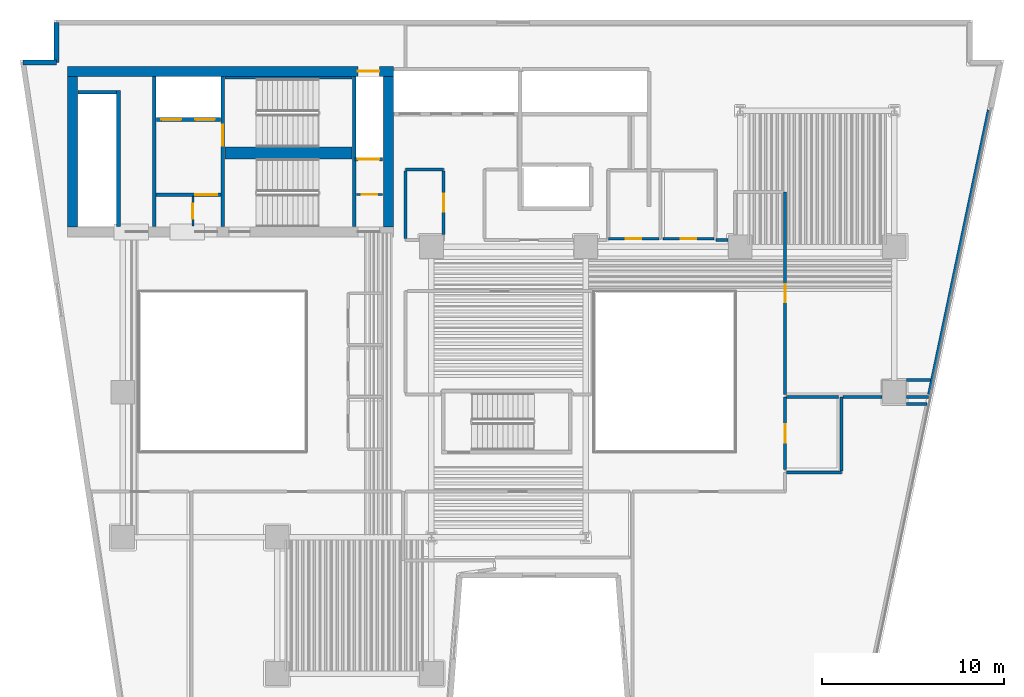
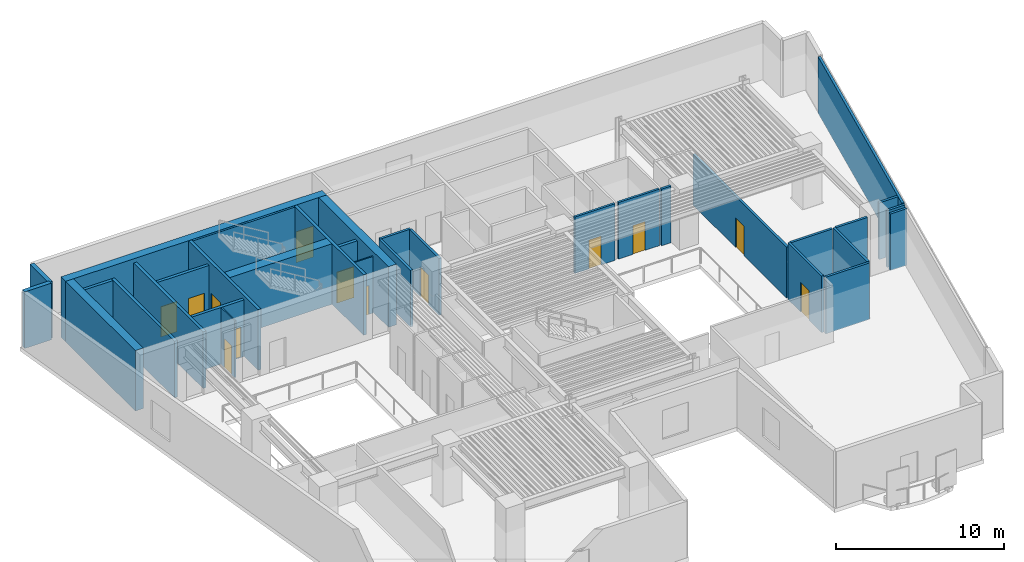
# One storey, part 5 of 12: 33 walls, 13 doors, 13 openings.
"""IFC4 building model written with IfcOpenShell, lengths in metres."""

from ifc_helpers import new_model, si_unit, direction, frame, frame_2d, origin, place, context, subcontext, project, spatial, rectangle, extrude, material, layer, layer_set, type_object, element, fill, save


model = new_model("IFC4")

# Units and contexts
model_context = context("Model", 3, precision=1e-05, world=origin(), true_north=direction((0.0, 1.0)))
body_context = subcontext(model_context, "Body", "Model", "MODEL_VIEW")
ifc_project = project(units=[si_unit("LENGTHUNIT", "METRE"), si_unit("AREAUNIT", "SQUARE_METRE"), si_unit("VOLUMEUNIT", "CUBIC_METRE"), si_unit("PLANEANGLEUNIT", "RADIAN"), si_unit("MASSUNIT", "GRAM", prefix="KILO")], contexts=[model_context])

# Site, building, storey
site_placement = place(None, origin())
site = spatial("IfcSite", under=ifc_project, at=site_placement, CompositionType="ELEMENT")
building_placement = place(site_placement, origin())
building = spatial("IfcBuilding", under=site, at=building_placement, Name="Caeloran Harvest Quay", CompositionType="ELEMENT")
storey_placement = place(building_placement, frame((0.0, 0.0, 97.39990234375)))
storey = spatial("IfcBuildingStorey", under=building, at=storey_placement, Name="L22", CompositionType="ELEMENT", Elevation=97.39990234375)

# Walls
ifc_material_1 = material(Name="Precast concrete C50/60", Category="concrete")
ifc_layer_1 = layer(ifc_material_1, 0.280029296875, Name="Precast concrete C50/60")
ifc_layer_set_1 = layer_set([ifc_layer_1], Name="Precast concrete C50/60")
wall_type_1 = type_object("IfcWallType", Name="ENV-WALL-EW-280", PredefinedType="STANDARD", material=ifc_layer_set_1)
wall_1_placement = place(storey_placement, frame((2.99755859375, 41.159912109375, 0.0), z_axis=(0.0, 0.0, 1.0), x_axis=(1.0, 0.0, 0.0)))
element("IfcWall", 1, at=wall_1_placement, inside=storey, type_object=wall_type_1, Name="L22 Exterior Precast Concrete Facade Wall 4", PredefinedType="STANDARD", context=body_context, shape_type="SweptSolid", body=[
    extrude(rectangle(XDim=1.842529296875, YDim=0.280029296875, at=frame_2d((0.92138671875, 0.0))), origin(), (0.0, 0.0, 1.0), 4.114990234375),
])
wall_2_placement = place(storey_placement, frame((4.840087890625, 41.159912109375, 0.0), z_axis=(0.0, 0.0, 1.0), x_axis=(0.0, 1.0, 0.0)))
element("IfcWall", 2, at=wall_2_placement, inside=storey, type_object=wall_type_1, Name="L22 Exterior Precast Concrete Facade Wall 5", PredefinedType="STANDARD", context=body_context, shape_type="SweptSolid", body=[
    extrude(rectangle(XDim=2.2001953125, YDim=0.280029296875, at=frame_2d((1.10009765625, 0.0))), origin(), (0.0, 0.0, 1.0), 4.114990234375),
])

# Wall, opening, door
ifc_material_2 = material(Name="Fire-Resisting Gypsum Core Riser Partition", Category="gypsum")
ifc_layer_2 = layer(ifc_material_2, 0.10009765625, Name="Fire-Resisting Gypsum Core Riser Partition")
ifc_layer_set_2 = layer_set([ifc_layer_2], Name="Fire-Resisting Gypsum Core Riser Partition")
wall_type_2 = type_object("IfcWallType", Name="INT-WALL-PW-100", PredefinedType="PARTITIONING", material=ifc_layer_set_2)
wall_3_placement = place(storey_placement, frame((12.360107421875, 32.159912109375, 0.0), z_axis=(0.0, 0.0, 1.0), x_axis=(0.0, 1.0, 0.0)))
wall_3 = element("IfcWall", 3, at=wall_3_placement, inside=storey, type_object=wall_type_2, Name="L22 Core Store Partition Wall", PredefinedType="PARTITIONING", context=body_context, shape_type="SweptSolid", body=[
    extrude(rectangle(XDim=1.6201171875, YDim=0.10009765625, at=frame_2d((0.81005859375, 0.0))), origin(), (0.0, 0.0, 1.0), 4.114990234375),
])
opening_1_placement = place(wall_3_placement, frame((0.3798828125, 0.0, 0.0)))
opening_1 = element("IfcOpeningElement", 4, at=opening_1_placement, cuts=wall_3, Name="Opening SV-01", PredefinedType="OPENING", context=body_context, shape_type="SweptSolid", body=[
    extrude(rectangle(XDim=0.85009765625, YDim=2.10009765625, at=frame_2d((0.425048828125, 1.050048828125))), frame((0.0, 0.06005859375, 0.0), z_axis=(0.0, -1.0, 0.0), x_axis=(1.0, 0.0, 0.0)), (0.0, 0.0, 1.0), 0.1201171875),
])
ifc_material_3 = material(Name="Galvanized Painted Steel", Category="steel")
door_type_1 = type_object("IfcDoorType", Name="INTDOOR-SV-01", OperationType="NOTDEFINED", PredefinedType="DOOR", material=ifc_material_3)
door_1_placement = place(opening_1_placement, origin())
door_1 = element("IfcDoor", 5, at=door_1_placement, inside=storey, type_object=door_type_1, Name="L22 Core Service Room Access Door", OperationType="SINGLE_SWING_LEFT", OverallHeight=2.10009765625, OverallWidth=0.85009765625, PredefinedType="DOOR", context=body_context, shape_type="SweptSolid", body=[
    extrude(rectangle(XDim=0.85009765625, YDim=2.10009765625, at=frame_2d((0.425048828125, 1.050048828125))), frame((0.0, 0.02490234375, 0.0), z_axis=(0.0, -1.0, 0.0), x_axis=(1.0, 0.0, 0.0)), (0.0, 0.0, 1.0), 0.050048828125),
])
fill(opening_1, door_1)

wall_4_placement = place(storey_placement, frame((21.3798828125, 33.889892578125, 0.0), z_axis=(0.0, 0.0, 1.0), x_axis=(1.0, 0.0, 0.0)))
wall_4 = element("IfcWall", 6, at=wall_4_placement, inside=storey, type_object=wall_type_2, Name="L22 Cleaner Store Partition Wall", PredefinedType="PARTITIONING", context=body_context, shape_type="SweptSolid", body=[
    extrude(rectangle(XDim=1.420166015625, YDim=0.10009765625, at=frame_2d((0.7099609375, 0.0))), origin(), (0.0, 0.0, 1.0), 4.114990234375),
])
opening_2_placement = place(wall_4_placement, frame((0.280029296875, 0.0, 0.0)))
opening_2 = element("IfcOpeningElement", 7, at=opening_2_placement, cuts=wall_4, Name="Opening SV-01", PredefinedType="OPENING", context=body_context, shape_type="SweptSolid", body=[
    extrude(rectangle(XDim=0.85009765625, YDim=2.10009765625, at=frame_2d((0.425048828125, 1.050048828125))), frame((0.0, 0.06005859375, 0.0), z_axis=(0.0, -1.0, 0.0), x_axis=(1.0, 0.0, 0.0)), (0.0, 0.0, 1.0), 0.1201171875),
])
door_2_placement = place(opening_2_placement, origin())
door_2 = element("IfcDoor", 8, at=door_2_placement, inside=storey, type_object=door_type_1, Name="L22 Cleaner Supply Store Access Door", OperationType="SINGLE_SWING_RIGHT", OverallHeight=2.10009765625, OverallWidth=0.85009765625, PredefinedType="DOOR", context=body_context, shape_type="SweptSolid", body=[
    extrude(rectangle(XDim=0.85009765625, YDim=2.10009765625, at=frame_2d((0.425048828125, 1.050048828125))), frame((0.0, 0.02490234375, 0.0), z_axis=(0.0, -1.0, 0.0), x_axis=(1.0, 0.0, 0.0)), (0.0, 0.0, 1.0), 0.050048828125),
])
fill(opening_2, door_2)

ifc_material_4 = material(Name="Autoclaved Aerated Concrete Blockwork and Plasterboard", Category="masonry")
ifc_layer_3 = layer(ifc_material_4, 0.14990234375, Name="Autoclaved Aerated Concrete Blockwork and Plasterboard")
ifc_layer_set_3 = layer_set([ifc_layer_3], Name="Autoclaved Aerated Concrete Blockwork and Plasterboard")
wall_type_3 = type_object("IfcWallType", Name="INT-WALL-PW-150", PredefinedType="PARTITIONING", material=ifc_layer_set_3)
wall_5_placement = place(storey_placement, frame((38.02001953125, 31.449951171875, 0.0), z_axis=(0.0, 0.0, 1.0), x_axis=(-1.0, 0.0, 0.0)))
wall_5 = element("IfcWall", 9, at=wall_5_placement, inside=storey, type_object=wall_type_3, Name="L22 Core Telemetry West Room Partition Wall", PredefinedType="PARTITIONING", context=body_context, shape_type="SweptSolid", body=[
    extrude(rectangle(XDim=2.77001953125, YDim=0.14990234375, at=frame_2d((1.385009765625, 0.0))), origin(), (0.0, 0.0, 1.0), 4.114990234375),
])
opening_3_placement = place(wall_5_placement, frame((0.9599609375, 0.0, 0.0)))
opening_3 = element("IfcOpeningElement", 10, at=opening_3_placement, cuts=wall_5, Name="Opening SV-01", PredefinedType="OPENING", context=body_context, shape_type="SweptSolid", body=[
    extrude(rectangle(XDim=0.85009765625, YDim=2.10009765625, at=frame_2d((0.425048828125, 1.050048828125))), frame((0.0, 0.0849609375, 0.0), z_axis=(0.0, -1.0, 0.0), x_axis=(1.0, 0.0, 0.0)), (0.0, 0.0, 1.0), 0.169921875),
])
door_3_placement = place(opening_3_placement, origin())
door_3 = element("IfcDoor", 11, at=door_3_placement, inside=storey, type_object=door_type_1, Name="L22 Core Telemetry West Room Access Door", OperationType="SINGLE_SWING_RIGHT", OverallHeight=2.10009765625, OverallWidth=0.85009765625, PredefinedType="DOOR", context=body_context, shape_type="SweptSolid", body=[
    extrude(rectangle(XDim=0.85009765625, YDim=2.10009765625, at=frame_2d((0.425048828125, 1.050048828125))), frame((0.0, 0.02490234375, 0.0), z_axis=(0.0, -1.0, 0.0), x_axis=(1.0, 0.0, 0.0)), (0.0, 0.0, 1.0), 0.050048828125),
])
fill(opening_3, door_3)

wall_6_placement = place(storey_placement, frame((41.070068359375, 31.449951171875, 0.0), z_axis=(0.0, 0.0, 1.0), x_axis=(-1.0, 0.0, 0.0)))
wall_6 = element("IfcWall", 12, at=wall_6_placement, inside=storey, type_object=wall_type_3, Name="L22 Core Metering East Room Partition Wall", PredefinedType="PARTITIONING", context=body_context, shape_type="SweptSolid", body=[
    extrude(rectangle(XDim=2.820068359375, YDim=0.14990234375, at=frame_2d((1.41015625, 0.0))), origin(), (0.0, 0.0, 1.0), 4.114990234375),
])
opening_4_placement = place(wall_6_placement, frame((0.985107421875, 0.0, 0.0)))
opening_4 = element("IfcOpeningElement", 13, at=opening_4_placement, cuts=wall_6, Name="Opening SV-01", PredefinedType="OPENING", context=body_context, shape_type="SweptSolid", body=[
    extrude(rectangle(XDim=0.85009765625, YDim=2.10009765625, at=frame_2d((0.425048828125, 1.050048828125))), frame((0.0, 0.0849609375, 0.0), z_axis=(0.0, -1.0, 0.0), x_axis=(1.0, 0.0, 0.0)), (0.0, 0.0, 1.0), 0.169921875),
])
door_4_placement = place(opening_4_placement, origin())
door_4 = element("IfcDoor", 14, at=door_4_placement, inside=storey, type_object=door_type_1, Name="L22 Core Metering East Room Access Door", OperationType="SINGLE_SWING_LEFT", OverallHeight=2.10009765625, OverallWidth=0.85009765625, PredefinedType="DOOR", context=body_context, shape_type="SweptSolid", body=[
    extrude(rectangle(XDim=0.85009765625, YDim=2.10009765625, at=frame_2d((0.425048828125, 1.050048828125))), frame((0.0, 0.02490234375, 0.0), z_axis=(0.0, -1.0, 0.0), x_axis=(1.0, 0.0, 0.0)), (0.0, 0.0, 1.0), 0.050048828125),
])
fill(opening_4, door_4)

# Walls
ifc_material_5 = material(Name="Autoclaved Aerated Concrete Blockwork", Category="masonry")
ifc_layer_4 = layer(ifc_material_5, 0.1650390625, Name="Autoclaved Aerated Concrete Blockwork")
ifc_layer_set_4 = layer_set([ifc_layer_4], Name="Autoclaved Aerated Concrete Blockwork")
wall_type_4 = type_object("IfcWallType", Name="INT-WALL-PW-165", PredefinedType="PARTITIONING", material=ifc_layer_set_4)
wall_7_placement = place(storey_placement, frame((45.0673828125, 18.570068359375, 0.0), z_axis=(0.0, 0.0, 1.0), x_axis=(1.0, 0.0, 0.0)))
element("IfcWall", 15, at=wall_7_placement, inside=storey, type_object=wall_type_4, Name="Biophilic Architecture Atelier Partition Wall", PredefinedType="PARTITIONING", context=body_context, shape_type="SweptSolid", body=[
    extrude(rectangle(XDim=3.0126953125, YDim=0.1650390625, at=frame_2d((1.50634765625, 0.0))), origin(), (0.0, 0.0, 1.0), 4.114990234375),
])
wall_8_placement = place(storey_placement, frame((48.080078125, 18.657470703125, 0.0), z_axis=(0.0, 0.0, 1.0), x_axis=(0.0, 1.0, 0.0)))
element("IfcWall", 16, at=wall_8_placement, inside=storey, type_object=wall_type_4, Name="Biophilic Architecture Atelier Partition Wall", PredefinedType="PARTITIONING", context=body_context, shape_type="SweptSolid", body=[
    extrude(rectangle(XDim=4.0625, YDim=0.1650390625, at=frame_2d((2.03125, 0.0))), origin(), (0.0, 0.0, 1.0), 4.114990234375),
])
wall_9_placement = place(storey_placement, frame((48.16748046875, 22.719970703125, 0.0), z_axis=(0.0, 0.0, 1.0), x_axis=(1.0, 0.0, 0.0)))
element("IfcWall", 17, at=wall_9_placement, inside=storey, type_object=wall_type_4, Name="Biophilic Architecture Atelier Partition Wall", PredefinedType="PARTITIONING", context=body_context, shape_type="SweptSolid", body=[
    extrude(rectangle(XDim=2.157470703125, YDim=0.1650390625, at=frame_2d((1.07861328125, 0.0))), origin(), (0.0, 0.0, 1.0), 4.114990234375),
])
wall_10_placement = place(storey_placement, frame((51.675048828125, 22.3349609375, 0.0), z_axis=(0.0, 0.0, 1.0), x_axis=(1.0, 0.0, 0.0)))
element("IfcWall", 18, at=wall_10_placement, inside=storey, type_object=wall_type_4, Name="Biophilic Architecture Atelier Partition Wall", PredefinedType="PARTITIONING", context=body_context, shape_type="SweptSolid", body=[
    extrude(rectangle(XDim=1.12841796875, YDim=0.1650390625, at=frame_2d((0.564208984375, 0.0))), origin(), (0.0, 0.0, 1.0), 4.114990234375),
])
wall_11_placement = place(storey_placement, frame((51.675048828125, 22.719970703125, 0.0), z_axis=(0.0, 0.0, 1.0), x_axis=(1.0, 0.0, 0.0)))
element("IfcWall", 19, at=wall_11_placement, inside=storey, type_object=wall_type_4, Name="Biophilic Architecture Atelier Partition Wall", PredefinedType="PARTITIONING", context=body_context, shape_type="SweptSolid", body=[
    extrude(rectangle(XDim=1.209228515625, YDim=0.1650390625, at=frame_2d((0.6044921875, 0.0))), origin(), (0.0, 0.0, 1.0), 4.114990234375),
])

# Wall, opening, door
wall_12_placement = place(storey_placement, frame((44.97998046875, 18.72998046875, 0.0), z_axis=(0.0, 0.0, 1.0), x_axis=(0.0, 1.0, 0.0)))
wall_12 = element("IfcWall", 20, at=wall_12_placement, inside=storey, type_object=wall_type_4, Name="Principal Partner Office Partition Wall", PredefinedType="PARTITIONING", context=body_context, shape_type="SweptSolid", body=[
    extrude(rectangle(XDim=3.989990234375, YDim=0.1650390625, at=frame_2d((1.9951171875, 0.0))), origin(), (0.0, 0.0, 1.0), 4.114990234375),
])
opening_5_placement = place(wall_12_placement, frame((1.4951171875, 0.0, 0.0)))
opening_5 = element("IfcOpeningElement", 21, at=opening_5_placement, cuts=wall_12, Name="Opening ID-01", PredefinedType="OPENING", context=body_context, shape_type="SweptSolid", body=[
    extrude(rectangle(XDim=1.0, YDim=2.14990234375, at=frame_2d((0.5, 1.074951171875))), frame((0.0, 0.092529296875, 0.0), z_axis=(0.0, -1.0, 0.0), x_axis=(1.0, 0.0, 0.0)), (0.0, 0.0, 1.0), 0.18505859375),
])
ifc_material_6 = material(Name="FSC Solid-Core Ash Timber and Acoustic Seal", Category="wood")
door_type_2 = type_object("IfcDoorType", Name="INTDOOR-ID-01", OperationType="NOTDEFINED", PredefinedType="DOOR", material=ifc_material_6)
door_5_placement = place(opening_5_placement, origin())
door_5 = element("IfcDoor", 22, at=door_5_placement, inside=storey, type_object=door_type_2, Name="Principal Partner Office Access Door", OperationType="SINGLE_SWING_LEFT", OverallHeight=2.14990234375, OverallWidth=1.0, PredefinedType="DOOR", context=body_context, shape_type="SweptSolid", body=[
    extrude(rectangle(XDim=1.0, YDim=2.14990234375, at=frame_2d((0.5, 1.074951171875))), frame((0.0, 0.02490234375, 0.0), z_axis=(0.0, -1.0, 0.0), x_axis=(1.0, 0.0, 0.0)), (0.0, 0.0, 1.0), 0.050048828125),
])
fill(opening_5, door_5)

# Walls
wall_13_placement = place(storey_placement, frame((45.0673828125, 22.719970703125, 0.0), z_axis=(0.0, 0.0, 1.0), x_axis=(1.0, 0.0, 0.0)))
element("IfcWall", 23, at=wall_13_placement, inside=storey, type_object=wall_type_4, Name="Principal Partner Office Partition Wall", PredefinedType="PARTITIONING", context=body_context, shape_type="SweptSolid", body=[
    extrude(rectangle(XDim=2.8525390625, YDim=0.1650390625, at=frame_2d((1.42626953125, 0.0))), origin(), (0.0, 0.0, 1.0), 4.114990234375),
])
wall_14_placement = place(storey_placement, frame((24.080078125, 35.27001953125, 0.0), z_axis=(0.0, 0.0, 1.0), x_axis=(1.0, 0.0, 0.0)))
element("IfcWall", 24, at=wall_14_placement, inside=storey, type_object=wall_type_4, Name="Partner Boardroom Partition Wall", PredefinedType="PARTITIONING", context=body_context, shape_type="SweptSolid", body=[
    extrude(rectangle(XDim=2.08984375, YDim=0.1650390625, at=frame_2d((1.044921875, 0.0))), origin(), (0.0, 0.0, 1.0), 4.114990234375),
])

# Wall, opening, door
wall_15_placement = place(storey_placement, frame((26.169921875, 35.1826171875, 0.0), z_axis=(0.0, 0.0, 1.0), x_axis=(0.0, -1.0, 0.0)))
wall_15 = element("IfcWall", 25, at=wall_15_placement, inside=storey, type_object=wall_type_4, Name="Partner Boardroom Partition Wall", PredefinedType="PARTITIONING", context=body_context, shape_type="SweptSolid", body=[
    extrude(rectangle(XDim=3.507568359375, YDim=0.1650390625, at=frame_2d((1.75390625, 0.0))), origin(), (0.0, 0.0, 1.0), 4.114990234375),
])
opening_6_placement = place(wall_15_placement, frame((1.253662109375, 0.0, 0.0)))
opening_6 = element("IfcOpeningElement", 26, at=opening_6_placement, cuts=wall_15, Name="Opening ID-01", PredefinedType="OPENING", context=body_context, shape_type="SweptSolid", body=[
    extrude(rectangle(XDim=1.0, YDim=2.14990234375, at=frame_2d((0.5, 1.074951171875))), frame((0.0, 0.092529296875, 0.0), z_axis=(0.0, -1.0, 0.0), x_axis=(1.0, 0.0, 0.0)), (0.0, 0.0, 1.0), 0.18505859375),
])
door_6_placement = place(opening_6_placement, origin())
door_6 = element("IfcDoor", 27, at=door_6_placement, inside=storey, type_object=door_type_2, Name="Partner Boardroom Access Door", OperationType="SINGLE_SWING_LEFT", OverallHeight=2.14990234375, OverallWidth=1.0, PredefinedType="DOOR", context=body_context, shape_type="SweptSolid", body=[
    extrude(rectangle(XDim=1.0, YDim=2.14990234375, at=frame_2d((0.5, 1.074951171875))), frame((0.0, 0.02490234375, 0.0), z_axis=(0.0, -1.0, 0.0), x_axis=(1.0, 0.0, 0.0)), (0.0, 0.0, 1.0), 0.050048828125),
])
fill(opening_6, door_6)

# Walls
wall_16_placement = place(storey_placement, frame((24.080078125, 31.467529296875, 0.0), z_axis=(0.0, 0.0, 1.0), x_axis=(0.0, 1.0, 0.0)))
element("IfcWall", 28, at=wall_16_placement, inside=storey, type_object=wall_type_4, Name="Partner Boardroom Partition Wall", PredefinedType="PARTITIONING", context=body_context, shape_type="SweptSolid", body=[
    extrude(rectangle(XDim=3.715087890625, YDim=0.1650390625, at=frame_2d((1.857421875, 0.0))), origin(), (0.0, 0.0, 1.0), 4.114990234375),
])
wall_17_placement = place(storey_placement, frame((56.1943359375, 38.547607421875, 0.0), z_axis=(0.0, 0.0, 1.0), x_axis=(-0.205579307071, -0.978640459262, 0.0)))
element("IfcWall", 29, at=wall_17_placement, inside=storey, type_object=wall_type_4, Name="Regional Food Policy Boardroom 9 Partition Wall", PredefinedType="PARTITIONING", context=body_context, shape_type="SweptSolid", body=[
    extrude(rectangle(XDim=16.009765625, YDim=0.1650390625, at=frame_2d((8.0048828125, 0.0))), origin(), (0.0, 0.0, 1.0), 4.114990234375),
])
wall_18_placement = place(storey_placement, frame((52.978515625, 23.6650390625, 0.0), z_axis=(0.0, 0.0, 1.0), x_axis=(-1.0, 0.0, 0.0)))
element("IfcWall", 30, at=wall_18_placement, inside=storey, type_object=wall_type_4, Name="Regional Food Policy Boardroom 9 Partition Wall", PredefinedType="PARTITIONING", context=body_context, shape_type="SweptSolid", body=[
    extrude(rectangle(XDim=1.303466796875, YDim=0.1650390625, at=frame_2d((0.65185546875, 0.0))), origin(), (0.0, 0.0, 1.0), 4.114990234375),
])

# Wall, opening, door
wall_19_placement = place(storey_placement, frame((44.97998046875, 22.8798828125, 0.0), z_axis=(0.0, 0.0, 1.0), x_axis=(0.0, 1.0, 0.0)))
wall_19 = element("IfcWall", 31, at=wall_19_placement, inside=storey, type_object=wall_type_4, Name="Regional Food Policy Boardroom 9 Partition Wall", PredefinedType="PARTITIONING", context=body_context, shape_type="SweptSolid", body=[
    extrude(rectangle(XDim=11.150146484375, YDim=0.1650390625, at=frame_2d((5.5751953125, 0.0))), origin(), (0.0, 0.0, 1.0), 3.7001953125),
])
opening_7_placement = place(wall_19_placement, frame((5.074951171875, 0.0, 0.0)))
opening_7 = element("IfcOpeningElement", 32, at=opening_7_placement, cuts=wall_19, Name="Opening ID-01", PredefinedType="OPENING", context=body_context, shape_type="SweptSolid", body=[
    extrude(rectangle(XDim=1.0, YDim=2.14990234375, at=frame_2d((0.5, 1.074951171875))), frame((0.0, 0.092529296875, 0.0), z_axis=(0.0, -1.0, 0.0), x_axis=(1.0, 0.0, 0.0)), (0.0, 0.0, 1.0), 0.18505859375),
])
door_7_placement = place(opening_7_placement, origin())
door_7 = element("IfcDoor", 33, at=door_7_placement, inside=storey, type_object=door_type_2, Name="Regional Food Policy Boardroom 9 Access Door", OperationType="SINGLE_SWING_LEFT", OverallHeight=2.14990234375, OverallWidth=1.0, PredefinedType="DOOR", context=body_context, shape_type="SweptSolid", body=[
    extrude(rectangle(XDim=1.0, YDim=2.14990234375, at=frame_2d((0.5, 1.074951171875))), frame((0.0, 0.02490234375, 0.0), z_axis=(0.0, -1.0, 0.0), x_axis=(1.0, 0.0, 0.0)), (0.0, 0.0, 1.0), 0.050048828125),
])
fill(opening_7, door_7)

# Walls
wall_20_placement = place(storey_placement, frame((41.824951171875, 31.3798828125, 0.0), z_axis=(0.0, 0.0, 1.0), x_axis=(-1.0, 0.0, 0.0)))
element("IfcWall", 34, at=wall_20_placement, inside=storey, type_object=wall_type_4, Name="Regional Food Policy Boardroom 9 Partition Wall", PredefinedType="PARTITIONING", context=body_context, shape_type="SweptSolid", body=[
    extrude(rectangle(XDim=0.660400390625, YDim=0.1650390625, at=frame_2d((0.330078125, 0.0))), origin(), (0.0, 0.0, 1.0), 4.114990234375),
])
ifc_material_7 = material(Name="Concrete C50/60", Category="concrete")
ifc_layer_5 = layer(ifc_material_7, 0.199951171875, Name="Concrete C50/60")
ifc_layer_set_5 = layer_set([ifc_layer_5], Name="Concrete C50/60")
wall_type_5 = type_object("IfcWallType", Name="INT-WALL-SW-200", PredefinedType="PARTITIONING", material=ifc_layer_set_5)
wall_21_placement = place(storey_placement, frame((8.260009765625, 32.1201171875, 0.0), z_axis=(0.0, 0.0, 1.0), x_axis=(0.0, 1.0, 0.0)))
element("IfcWall", 35, at=wall_21_placement, inside=storey, type_object=wall_type_5, Name="L22 Bank 3 Lift Shaft Wall", PredefinedType="PARTITIONING", context=body_context, shape_type="SweptSolid", body=[
    extrude(rectangle(XDim=7.5, YDim=0.199951171875, at=frame_2d((3.75, 0.0))), origin(), (0.0, 0.0, 1.0), 4.114990234375),
])
wall_22_placement = place(storey_placement, frame((6.02001953125, 39.52001953125, 0.0), z_axis=(0.0, 0.0, 1.0), x_axis=(1.0, 0.0, 0.0)))
element("IfcWall", 36, at=wall_22_placement, inside=storey, type_object=wall_type_5, Name="L22 Bank 3 Lift Shaft North End Wall", PredefinedType="PARTITIONING", context=body_context, shape_type="SweptSolid", body=[
    extrude(rectangle(XDim=2.119873046875, YDim=0.199951171875, at=frame_2d((1.06005859375, 0.0))), origin(), (0.0, 0.0, 1.0), 4.114990234375),
])
wall_23_placement = place(storey_placement, frame((10.219970703125, 32.1201171875, 0.0), z_axis=(0.0, 0.0, 1.0), x_axis=(0.0, 1.0, 0.0)))
element("IfcWall", 37, at=wall_23_placement, inside=storey, type_object=wall_type_5, Name="L22 Core Lobby Compartment Wall", PredefinedType="PARTITIONING", context=body_context, shape_type="SweptSolid", body=[
    extrude(rectangle(XDim=8.259765625, YDim=0.199951171875, at=frame_2d((4.1298828125, 0.0))), origin(), (0.0, 0.0, 1.0), 4.114990234375),
])

# Wall, openings, doors
wall_24_placement = place(storey_placement, frame((10.340087890625, 38.02001953125, 0.0), z_axis=(0.0, 0.0, 1.0), x_axis=(1.0, 0.0, 0.0)))
wall_24 = element("IfcWall", 38, at=wall_24_placement, inside=storey, type_object=wall_type_5, Name="L22 Firefighting Lift Shaft Wall", PredefinedType="PARTITIONING", context=body_context, shape_type="SweptSolid", body=[
    extrude(rectangle(XDim=3.539794921875, YDim=0.199951171875, at=frame_2d((1.77001953125, 0.0))), origin(), (0.0, 0.0, 1.0), 4.114990234375),
])
opening_8_placement = place(wall_24_placement, frame((0.284912109375, 0.0, 0.0)))
opening_8 = element("IfcOpeningElement", 39, at=opening_8_placement, cuts=wall_24, Name="Opening LD-01", PredefinedType="OPENING", context=body_context, shape_type="SweptSolid", body=[
    extrude(rectangle(XDim=1.10009765625, YDim=2.199951171875, at=frame_2d((0.550048828125, 1.10009765625))), frame((0.0, 0.10986328125, 0.0), z_axis=(0.0, -1.0, 0.0), x_axis=(1.0, 0.0, 0.0)), (0.0, 0.0, 1.0), 0.219970703125),
])
opening_9_placement = place(wall_24_placement, frame((2.135009765625, 0.0, 0.0)))
opening_9 = element("IfcOpeningElement", 40, at=opening_9_placement, cuts=wall_24, Name="Opening LD-01", PredefinedType="OPENING", context=body_context, shape_type="SweptSolid", body=[
    extrude(rectangle(XDim=1.10009765625, YDim=2.199951171875, at=frame_2d((0.550048828125, 1.10009765625))), frame((0.0, 0.10986328125, 0.0), z_axis=(0.0, -1.0, 0.0), x_axis=(1.0, 0.0, 0.0)), (0.0, 0.0, 1.0), 0.219970703125),
])
ifc_material_8 = material(Name="Stainless Steel Grade 316", Category="steel")
door_type_3 = type_object("IfcDoorType", Name="INTDOOR-LD-01", OperationType="NOTDEFINED", PredefinedType="DOOR", material=ifc_material_8)
door_8_placement = place(opening_8_placement, origin())
door_8 = element("IfcDoor", 41, at=door_8_placement, inside=storey, type_object=door_type_3, Name="Lift FF-1 Sliding Landing Door (L22)", OperationType="DOUBLE_DOOR_SLIDING", OverallHeight=2.199951171875, OverallWidth=1.10009765625, PredefinedType="DOOR", context=body_context, shape_type="SweptSolid", body=[
    extrude(rectangle(XDim=1.10009765625, YDim=2.199951171875, at=frame_2d((0.550048828125, 1.10009765625))), frame((0.0, 0.02490234375, 0.0), z_axis=(0.0, -1.0, 0.0), x_axis=(1.0, 0.0, 0.0)), (0.0, 0.0, 1.0), 0.050048828125),
])
fill(opening_8, door_8)
door_9_placement = place(opening_9_placement, origin())
door_9 = element("IfcDoor", 42, at=door_9_placement, inside=storey, type_object=door_type_3, Name="Lift FF-2 Sliding Landing Door (L22)", OperationType="DOUBLE_DOOR_SLIDING", OverallHeight=2.199951171875, OverallWidth=1.10009765625, PredefinedType="DOOR", context=body_context, shape_type="SweptSolid", body=[
    extrude(rectangle(XDim=1.10009765625, YDim=2.199951171875, at=frame_2d((0.550048828125, 1.10009765625))), frame((0.0, 0.02490234375, 0.0), z_axis=(0.0, -1.0, 0.0), x_axis=(1.0, 0.0, 0.0)), (0.0, 0.0, 1.0), 0.050048828125),
])
fill(opening_9, door_9)

# Wall, opening, door
wall_25_placement = place(storey_placement, frame((10.340087890625, 33.8798828125, 0.0), z_axis=(0.0, 0.0, 1.0), x_axis=(1.0, 0.0, 0.0)))
wall_25 = element("IfcWall", 43, at=wall_25_placement, inside=storey, type_object=wall_type_5, Name="L22 Firefighting Lift Lobby Enclosure Wall", PredefinedType="PARTITIONING", context=body_context, shape_type="SweptSolid", body=[
    extrude(rectangle(XDim=3.559814453125, YDim=0.199951171875, at=frame_2d((1.77978515625, 0.0))), origin(), (0.0, 0.0, 1.0), 4.114990234375),
])
opening_10_placement = place(wall_25_placement, frame((2.14990234375, 0.0, 0.0)))
opening_10 = element("IfcOpeningElement", 44, at=opening_10_placement, cuts=wall_25, Name="Opening FD-01", PredefinedType="OPENING", context=body_context, shape_type="SweptSolid", body=[
    extrude(rectangle(XDim=1.199951171875, YDim=2.199951171875, at=frame_2d((0.60009765625, 1.10009765625))), frame((0.0, 0.10986328125, 0.0), z_axis=(0.0, -1.0, 0.0), x_axis=(1.0, 0.0, 0.0)), (0.0, 0.0, 1.0), 0.219970703125),
])
ifc_material_9 = material(Name="Steel", Category="steel")
door_type_4 = type_object("IfcDoorType", Name="INTDOOR-FD-01", OperationType="NOTDEFINED", PredefinedType="DOOR", material=ifc_material_9)
door_10_placement = place(opening_10_placement, origin())
door_10 = element("IfcDoor", 45, at=door_10_placement, inside=storey, type_object=door_type_4, Name="L22 Firefighting Lift Lobby Smoke-Seal Fire Door", OperationType="SINGLE_SWING_RIGHT", OverallHeight=2.199951171875, OverallWidth=1.199951171875, PredefinedType="DOOR", context=body_context, shape_type="SweptSolid", body=[
    extrude(rectangle(XDim=1.199951171875, YDim=2.199951171875, at=frame_2d((0.60009765625, 1.10009765625))), frame((0.0, 0.02490234375, 0.0), z_axis=(0.0, -1.0, 0.0), x_axis=(1.0, 0.0, 0.0)), (0.0, 0.0, 1.0), 0.050048828125),
])
fill(opening_10, door_10)

wall_26_placement = place(storey_placement, frame((21.300048828125, 35.820068359375, 0.0), z_axis=(0.0, 0.0, 1.0), x_axis=(1.0, 0.0, 0.0)))
wall_26 = element("IfcWall", 46, at=wall_26_placement, inside=storey, type_object=wall_type_5, Name="L22 Service Lift SV-2 Shaft Wall", PredefinedType="PARTITIONING", context=body_context, shape_type="SweptSolid", body=[
    extrude(rectangle(XDim=1.5, YDim=0.199951171875, at=frame_2d((0.75, 0.0))), origin(), (0.0, 0.0, 1.0), 4.114990234375),
])
opening_11_placement = place(wall_26_placement, frame((0.14501953125, 0.0, 0.0)))
opening_11 = element("IfcOpeningElement", 47, at=opening_11_placement, cuts=wall_26, Name="Opening LD-02", PredefinedType="OPENING", context=body_context, shape_type="SweptSolid", body=[
    extrude(rectangle(XDim=1.179931640625, YDim=2.25, at=frame_2d((0.58984375, 1.125))), frame((0.0, 0.10986328125, 0.0), z_axis=(0.0, -1.0, 0.0), x_axis=(1.0, 0.0, 0.0)), (0.0, 0.0, 1.0), 0.219970703125),
])
door_type_5 = type_object("IfcDoorType", Name="INTDOOR-LD-02", OperationType="NOTDEFINED", PredefinedType="DOOR", material=ifc_material_8)
door_11_placement = place(opening_11_placement, origin())
door_11 = element("IfcDoor", 48, at=door_11_placement, inside=storey, type_object=door_type_5, Name="Lift SV-2 Sliding Landing Door (L22)", OperationType="DOUBLE_DOOR_SLIDING", OverallHeight=2.25, OverallWidth=1.179931640625, PredefinedType="DOOR", context=body_context, shape_type="SweptSolid", body=[
    extrude(rectangle(XDim=1.179931640625, YDim=2.25, at=frame_2d((0.58984375, 1.125))), frame((0.0, 0.02490234375, 0.0), z_axis=(0.0, -1.0, 0.0), x_axis=(1.0, 0.0, 0.0)), (0.0, 0.0, 1.0), 0.050048828125),
])
fill(opening_11, door_11)

ifc_material_10 = material(Name="Concrete C80/95", Category="concrete")
ifc_layer_6 = layer(ifc_material_10, 0.550048828125, Name="Concrete C80/95")
ifc_layer_set_6 = layer_set([ifc_layer_6], Name="Concrete C80/95")
wall_type_6 = type_object("IfcWallType", Name="STR-WALL-CW-550", PredefinedType="SHEAR", material=ifc_layer_set_6)
wall_27_placement = place(storey_placement, frame((5.449951171875, 40.675048828125, 0.0), z_axis=(0.0, 0.0, 1.0), x_axis=(1.0, 0.0, 0.0)))
wall_27 = element("IfcWall", 49, at=wall_27_placement, inside=storey, type_object=wall_type_6, Name="L22 Rear Core Shear Wall N", PredefinedType="SHEAR", context=body_context, shape_type="SweptSolid", body=[
    extrude(rectangle(XDim=17.949951171875, YDim=0.550048828125, at=frame_2d((8.97509765625, 0.0))), origin(), (0.0, 0.0, 1.0), 4.400146484375),
])
opening_12_placement = place(wall_27_placement, frame((15.9951171875, 0.0, 0.0)))
opening_12 = element("IfcOpeningElement", 50, at=opening_12_placement, cuts=wall_27, Name="Opening LD-02", PredefinedType="OPENING", context=body_context, shape_type="SweptSolid", body=[
    extrude(rectangle(XDim=1.179931640625, YDim=2.25, at=frame_2d((0.58984375, 1.125))), frame((0.0, 0.28515625, 0.0), z_axis=(0.0, -1.0, 0.0), x_axis=(1.0, 0.0, 0.0)), (0.0, 0.0, 1.0), 0.570068359375),
])
door_12_placement = place(opening_12_placement, origin())
door_12 = element("IfcDoor", 51, at=door_12_placement, inside=storey, type_object=door_type_5, Name="Lift SV-1 Sliding Landing Door (L22)", OperationType="DOUBLE_DOOR_SLIDING", OverallHeight=2.25, OverallWidth=1.179931640625, PredefinedType="DOOR", context=body_context, shape_type="SweptSolid", body=[
    extrude(rectangle(XDim=1.179931640625, YDim=2.25, at=frame_2d((0.58984375, 1.125))), frame((0.0, 0.02490234375, 0.0), z_axis=(0.0, -1.0, 0.0), x_axis=(1.0, 0.0, 0.0)), (0.0, 0.0, 1.0), 0.050048828125),
])
fill(opening_12, door_12)

# Walls
for number, where, z_axis, x_axis, name in (
    (52, (5.72509765625, 32.10009765625, 0.0), (0.0, 0.0, 1.0), (0.0, 1.0, 0.0), "L22 Rear Core Shear Wall W"),
    (53, (23.125, 32.10009765625, 0.0), (0.0, 0.0, 1.0), (0.0, 1.0, 0.0), "L22 Rear Core Shear Wall E"),
):
    element("IfcWall", number, at=place(storey_placement, frame(where, z_axis=z_axis, x_axis=x_axis)), inside=storey, type_object=wall_type_6, Name=name, PredefinedType="SHEAR", context=body_context, shape_type="SweptSolid", body=[
        extrude(rectangle(XDim=8.2998046875, YDim=0.550048828125, at=frame_2d((4.14990234375, 0.0))), origin(), (0.0, 0.0, 1.0), 4.400146484375),
    ])
ifc_material_11 = material(Name="Concrete C60/75", Category="concrete")
ifc_layer_7 = layer(ifc_material_11, 0.64990234375, Name="Concrete C60/75")
ifc_layer_set_7 = layer_set([ifc_layer_7], Name="Concrete C60/75")
wall_type_7 = type_object("IfcWallType", Name="STR-WALL-CW-650", PredefinedType="SHEAR", material=ifc_layer_set_7)
wall_28_placement = place(storey_placement, frame((14.1201171875, 36.175048828125, 0.0), z_axis=(0.0, 0.0, 1.0), x_axis=(1.0, 0.0, 0.0)))
element("IfcWall", 54, at=wall_28_placement, inside=storey, type_object=wall_type_7, Name="L22 Core Stairs Dividing Shear Wall", PredefinedType="SHEAR", context=body_context, shape_type="SweptSolid", body=[
    extrude(rectangle(XDim=7.009765625, YDim=0.64990234375, at=frame_2d((3.5048828125, 0.0))), origin(), (0.0, 0.0, 1.0), 4.400146484375),
])
ifc_layer_8 = layer(ifc_material_11, 0.139892578125, Name="Concrete C60/75")
ifc_layer_set_8 = layer_set([ifc_layer_8], Name="Concrete C60/75")
wall_type_8 = type_object("IfcWallType", Name="STR-WALL-SW-140", PredefinedType="SHEAR", material=ifc_layer_set_8)
wall_29_placement = place(storey_placement, frame((14.1201171875, 40.320068359375, 0.0), z_axis=(0.0, 0.0, 1.0), x_axis=(1.0, 0.0, 0.0)))
element("IfcWall", 55, at=wall_29_placement, inside=storey, type_object=wall_type_8, Name="L22 Core Stair ST-C1 North Bearing Shear Wall", PredefinedType="SHEAR", context=body_context, shape_type="SweptSolid", body=[
    extrude(rectangle(XDim=7.009765625, YDim=0.139892578125, at=frame_2d((3.5048828125, 0.0))), origin(), (0.0, 0.0, 1.0), 4.400146484375),
])

# Wall, opening, door
ifc_layer_9 = layer(ifc_material_11, 0.199951171875, Name="Concrete C60/75")
ifc_layer_set_9 = layer_set([ifc_layer_9], Name="Concrete C60/75")
wall_type_9 = type_object("IfcWallType", Name="STR-WALL-SW-200", PredefinedType="SHEAR", material=ifc_layer_set_9)
wall_30_placement = place(storey_placement, frame((14.0, 32.1201171875, 0.0), z_axis=(0.0, 0.0, 1.0), x_axis=(0.0, 1.0, 0.0)))
wall_30 = element("IfcWall", 56, at=wall_30_placement, inside=storey, type_object=wall_type_9, Name="L22 Core Stair Shaft West Shear Wall", PredefinedType="SHEAR", context=body_context, shape_type="SweptSolid", body=[
    extrude(rectangle(XDim=8.259765625, YDim=0.199951171875, at=frame_2d((4.1298828125, 0.0))), origin(), (0.0, 0.0, 1.0), 4.400146484375),
])
opening_13_placement = place(wall_30_placement, frame((4.4599609375, 0.0, 0.0)))
opening_13 = element("IfcOpeningElement", 57, at=opening_13_placement, cuts=wall_30, Name="Opening SD-01", PredefinedType="OPENING", context=body_context, shape_type="SweptSolid", body=[
    extrude(rectangle(XDim=1.14990234375, YDim=2.199951171875, at=frame_2d((0.574951171875, 1.10009765625))), frame((0.0, 0.10986328125, 0.0), z_axis=(0.0, -1.0, 0.0), x_axis=(1.0, 0.0, 0.0)), (0.0, 0.0, 1.0), 0.219970703125),
])
door_type_6 = type_object("IfcDoorType", Name="INTDOOR-SD-01", OperationType="NOTDEFINED", PredefinedType="DOOR", material=ifc_material_9)
door_13_placement = place(opening_13_placement, origin())
door_13 = element("IfcDoor", 58, at=door_13_placement, inside=storey, type_object=door_type_6, Name="L22 Protected Stair ST-C1 Exit Door", OperationType="SINGLE_SWING_LEFT", OverallHeight=2.199951171875, OverallWidth=1.14990234375, PredefinedType="DOOR", context=body_context, shape_type="SweptSolid", body=[
    extrude(rectangle(XDim=1.14990234375, YDim=2.199951171875, at=frame_2d((0.574951171875, 1.10009765625))), frame((0.0, 0.02490234375, 0.0), z_axis=(0.0, -1.0, 0.0), x_axis=(1.0, 0.0, 0.0)), (0.0, 0.0, 1.0), 0.050048828125),
])
fill(opening_13, door_13)

# Wall
wall_31_placement = place(storey_placement, frame((21.25, 32.1201171875, 0.0), z_axis=(0.0, 0.0, 1.0), x_axis=(0.0, 1.0, 0.0)))
element("IfcWall", 59, at=wall_31_placement, inside=storey, type_object=wall_type_9, Name="L22 Core Stair Shaft East Shear Wall", PredefinedType="SHEAR", context=body_context, shape_type="SweptSolid", body=[
    extrude(rectangle(XDim=8.259765625, YDim=0.199951171875, at=frame_2d((4.1298828125, 0.0))), origin(), (0.0, 0.0, 1.0), 4.400146484375),
])

save(model, "model.ifc")
